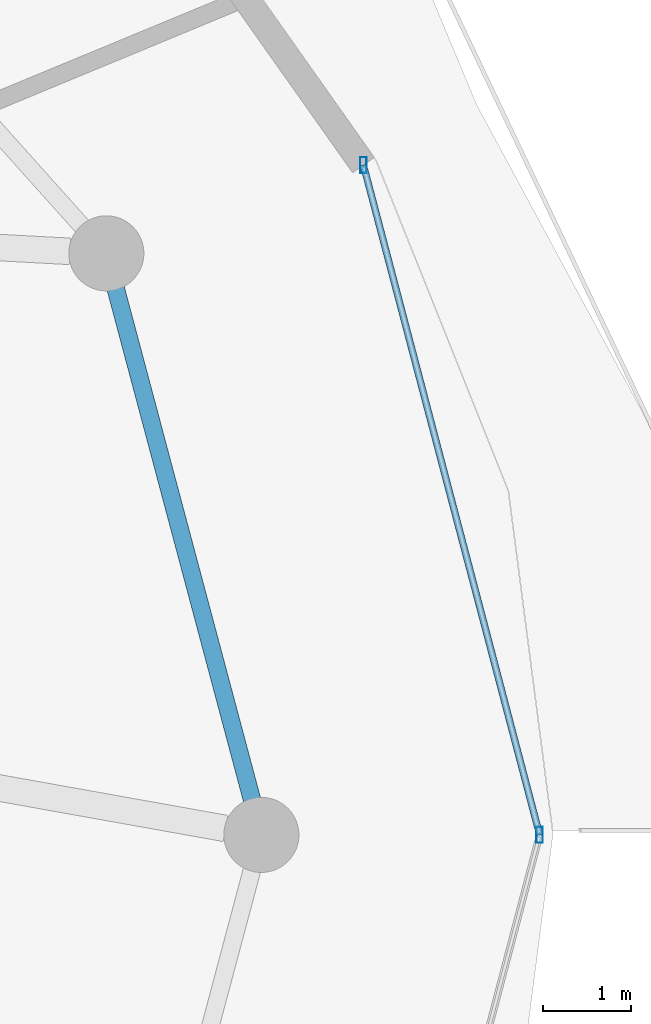
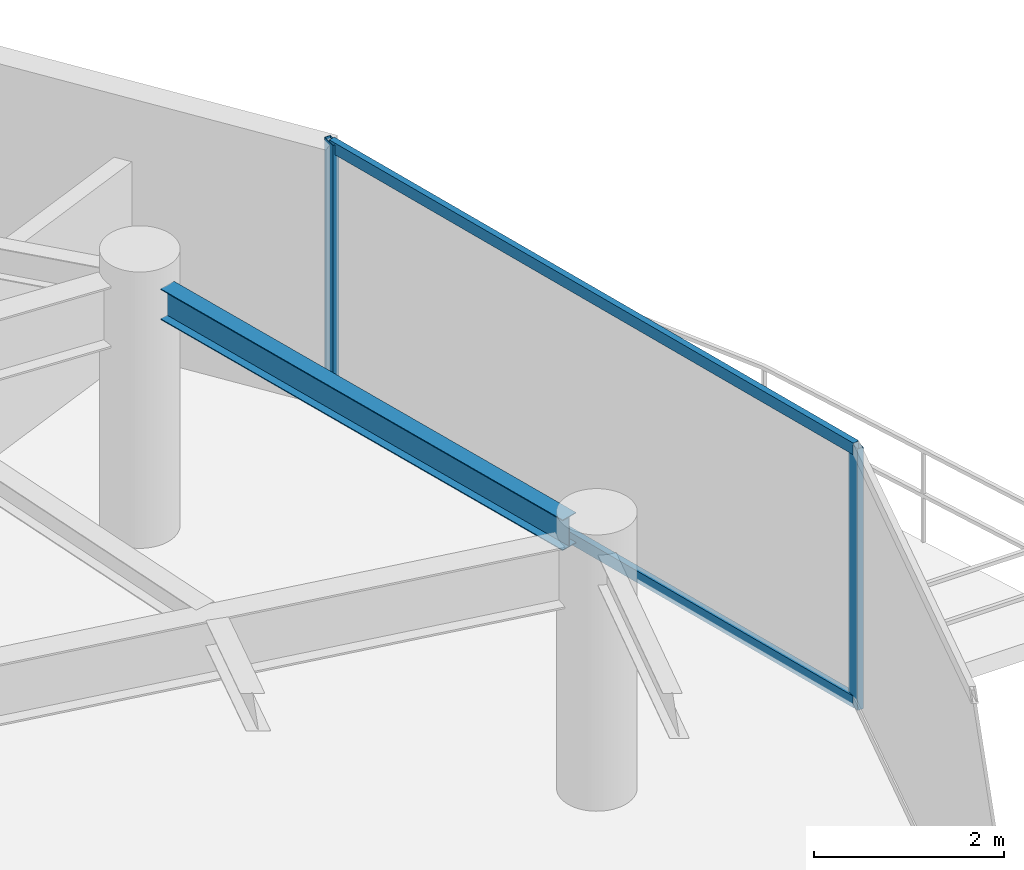
# One storey, part 16 of 31: 4 members, 1 beam, 1 element without a shape of its own.
"""IFC4 building model written with IfcOpenShell, lengths in metres."""

from ifc_helpers import new_model, si_unit, direction, frame, origin, origin_2d, place, context, subcontext, project, spatial, hollow_rectangle, i_section, extrude, material, material_profile, profile_set, type_object, element, aggregate, save


model = new_model("IFC4")

# Units and contexts
model_context = context("Model", 3, precision=1e-05, world=origin(), true_north=direction((0.0, 1.0)))
body_context = subcontext(model_context, "Body", "Model", "MODEL_VIEW")
ifc_project = project(units=[si_unit("LENGTHUNIT", "METRE"), si_unit("AREAUNIT", "SQUARE_METRE"), si_unit("VOLUMEUNIT", "CUBIC_METRE"), si_unit("PLANEANGLEUNIT", "RADIAN"), si_unit("MASSUNIT", "GRAM", prefix="KILO")], contexts=[model_context])

# Site, building, storey
site_placement = place(None, origin())
site = spatial("IfcSite", under=ifc_project, at=site_placement, CompositionType="ELEMENT")
building_placement = place(site_placement, origin())
building = spatial("IfcBuilding", under=site, at=building_placement, Name="Vorneva Point Tower", CompositionType="ELEMENT")
storey_placement = place(building_placement, frame((0.0, 0.0, 266.199951171875)))
storey = spatial("IfcBuildingStorey", under=building, at=storey_placement, Name="L72", CompositionType="ELEMENT", Elevation=266.199951171875)

# Beam
ifc_material_1 = material(Name="Steel S355", Category="steel")
ifc_material_profile_1 = material_profile(ifc_material_1, i_section(OverallWidth=0.198974609375, OverallDepth=0.39599609375, WebThickness=0.007080078125, FlangeThickness=0.010986328125, at=origin_2d()), Name="40B1")
ifc_profile_set_1 = profile_set([ifc_material_profile_1], Name="Steel S355")
beam_type = type_object("IfcBeamType", Name="BM-SPN-40B1", PredefinedType="SPANDREL", material=ifc_profile_set_1)
beam_placement = place(storey_placement, frame((60.9443359375, 26.396240234375, 3.092041015625), z_axis=(-0.257586570866, 0.966255224312, 0.0), x_axis=(-0.966255224312, -0.257586570866, 0.0)))
element("IfcBeam", 1, at=beam_placement, inside=storey, type_object=beam_type, Name="L72 Perimeter Spandrel Ring Beam 01", PredefinedType="SPANDREL", context=body_context, shape_type="SweptSolid", body=[
    extrude(i_section(OverallWidth=0.198974609375, OverallDepth=0.39599609375, WebThickness=0.007080078125, FlangeThickness=0.010986328125, at=origin_2d()), origin(), (0.0, 0.0, 1.0), 5.991943359375),
])

# Curtain wall, members
ifc_material_2 = material(Name="Pale anodised aluminium", Category="aluminium")
curtain_wall_type = type_object("IfcCurtainWallType", Name="CW-RES-SYS", PredefinedType="NOTDEFINED", material=ifc_material_2)
curtain_wall_placement = place(storey_placement, origin())
curtain_wall = element("IfcCurtainWall", 2, at=curtain_wall_placement, inside=storey, type_object=curtain_wall_type, Name="L72 Unitised Curtain Wall CW-L72-R01", PredefinedType="NOTDEFINED")
ifc_material_profile_2 = material_profile(ifc_material_2, hollow_rectangle(XDim=0.074951171875, YDim=0.179931640625, WallThickness=0.00390625, at=origin_2d()), Name="AL-MUL 180x75x4")
ifc_profile_set_2 = profile_set([ifc_material_profile_2], Name="Pale anodised aluminium")
member_type_1 = type_object("IfcMemberType", Name="CW-MUL-180", PredefinedType="MULLION", material=ifc_profile_set_2)
member_1_placement = place(storey_placement, frame((64.199951171875, 26.0, -0.0400390625), z_axis=(0.0, 0.0, 1.0), x_axis=(1.0, 0.0, 0.0)))
member_1 = element("IfcMember", 3, at=member_1_placement, type_object=member_type_1, Name="CW-L72-R01 Mullion 03", PredefinedType="MULLION", context=body_context, shape_type="SweptSolid", body=[
    extrude(hollow_rectangle(XDim=0.074951171875, YDim=0.179931640625, WallThickness=0.00390625, at=origin_2d()), origin(), (0.0, 0.0, 1.0), 3.360107421875),
])
member_2_placement = place(storey_placement, frame((62.20556640625, 33.5810546875, -0.0400390625), z_axis=(0.0, 0.0, 1.0), x_axis=(1.0, 0.0, 0.0)))
member_2 = element("IfcMember", 4, at=member_2_placement, type_object=member_type_1, Name="CW-L72-R01 Mullion 04", PredefinedType="MULLION", context=body_context, shape_type="SweptSolid", body=[
    extrude(hollow_rectangle(XDim=0.074951171875, YDim=0.179931640625, WallThickness=0.00390625, at=origin_2d()), origin(), (0.0, 0.0, 1.0), 3.360107421875),
])
ifc_material_profile_3 = material_profile(ifc_material_2, hollow_rectangle(XDim=0.074951171875, YDim=0.14990234375, WallThickness=0.00390625, at=origin_2d()), Name="AL-TRN 150x75x4")
ifc_profile_set_3 = profile_set([ifc_material_profile_3], Name="Pale anodised aluminium")
member_type_2 = type_object("IfcMemberType", Name="CW-TRN-150", PredefinedType="USERDEFINED", material=ifc_profile_set_3)
member_3_placement = place(storey_placement, frame((64.199951171875, 26.0, 0.02001953125), z_axis=(-0.254418180926, 0.967094302131, 0.0), x_axis=(-0.967094302131, -0.254418180926, 0.0)))
member_3 = element("IfcMember", 5, at=member_3_placement, type_object=member_type_2, Name="CW-L72-R01 Transom 03.1", ObjectType="TRANSOM", PredefinedType="USERDEFINED", context=body_context, shape_type="SweptSolid", body=[
    extrude(hollow_rectangle(XDim=0.074951171875, YDim=0.14990234375, WallThickness=0.00390625, at=origin_2d()), origin(), (0.0, 0.0, 1.0), 7.839111328125),
])
member_4_placement = place(storey_placement, frame((64.199951171875, 26.0, 3.27001953125), z_axis=(-0.254418180926, 0.967094302131, 0.0), x_axis=(-0.967094302131, -0.254418180926, 0.0)))
member_4 = element("IfcMember", 6, at=member_4_placement, type_object=member_type_2, Name="CW-L72-R01 Transom 03.2", ObjectType="TRANSOM", PredefinedType="USERDEFINED", context=body_context, shape_type="SweptSolid", body=[
    extrude(hollow_rectangle(XDim=0.074951171875, YDim=0.14990234375, WallThickness=0.00390625, at=origin_2d()), origin(), (0.0, 0.0, 1.0), 7.839111328125),
])
aggregate(curtain_wall, [member_1, member_2, member_3, member_4])

save(model, "model.ifc")
